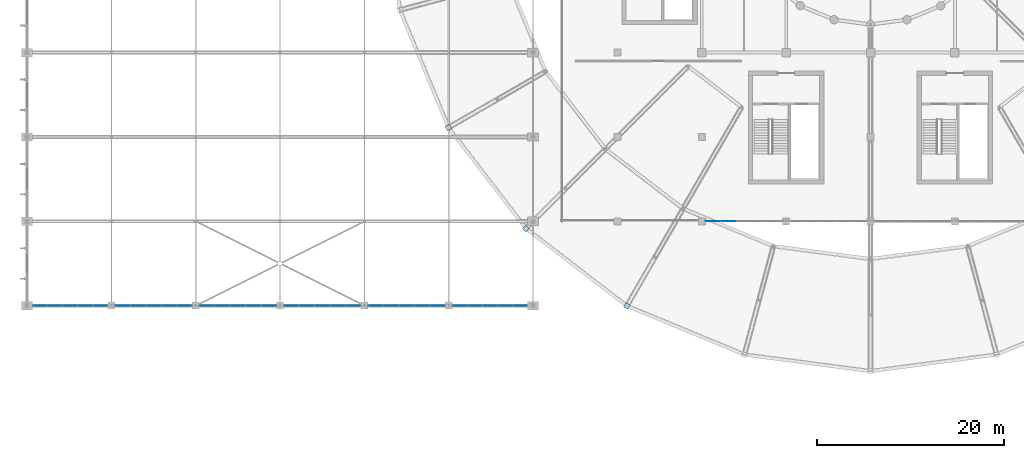
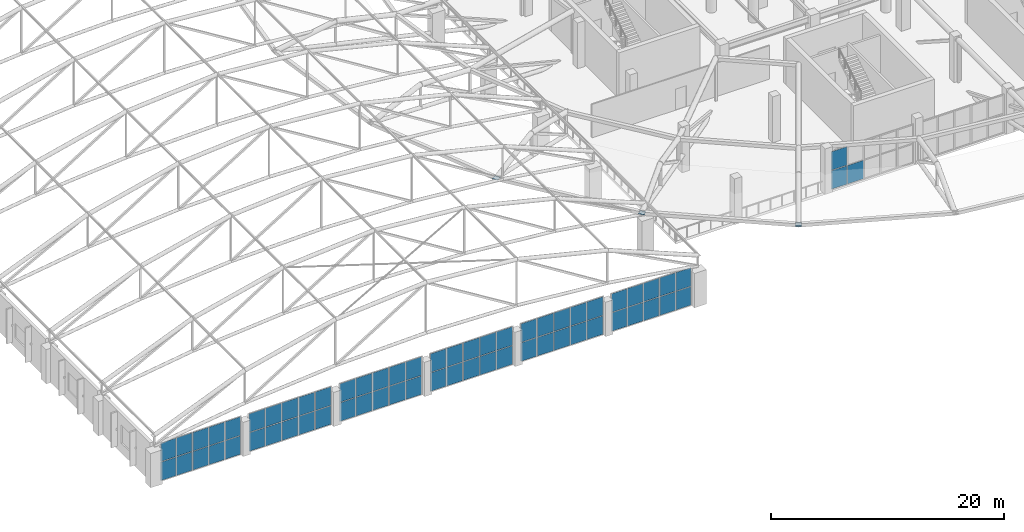
# One storey, part 118 of 167: 66 plates, 7 elements without a shape of their own.
"""IFC4 building model written with IfcOpenShell, lengths in metres."""

from ifc_helpers import new_model, si_unit, direction, frame, origin, origin_2d, place, context, subcontext, project, spatial, rectangle, extrude, material, layer, layer_set, type_object, element, aggregate, save


model = new_model("IFC4")

# Units and contexts
model_context = context("Model", 3, precision=1e-05, world=origin(), true_north=direction((0.0, 1.0)))
body_context = subcontext(model_context, "Body", "Model", "MODEL_VIEW")
ifc_project = project(units=[si_unit("LENGTHUNIT", "METRE"), si_unit("AREAUNIT", "SQUARE_METRE"), si_unit("VOLUMEUNIT", "CUBIC_METRE"), si_unit("PLANEANGLEUNIT", "RADIAN"), si_unit("MASSUNIT", "GRAM", prefix="KILO")], contexts=[model_context])

# Site, building, storey
site_placement = place(None, origin())
site = spatial("IfcSite", under=ifc_project, at=site_placement, CompositionType="ELEMENT")
building_placement = place(site_placement, origin())
building = spatial("IfcBuilding", under=site, at=building_placement, Name="Dornveld Trade and Exhibition Forum", CompositionType="ELEMENT")
storey_placement = place(building_placement, frame((0.0, 0.0, 16.800048828125)))
storey = spatial("IfcBuildingStorey", under=building, at=storey_placement, Name="L03", CompositionType="ELEMENT", Elevation=16.800048828125)

# Curtain wall, plates
ifc_material_1 = material(Name="Dark-bronze anodised aluminium and low-E glass", Category="aluminium")
ifc_layer_1 = layer(ifc_material_1, 0.18701171875)
ifc_layer_set_1 = layer_set([ifc_layer_1], Name="Dark-bronze anodised aluminium and low-E glass")
curtain_wall_type_1 = type_object("IfcCurtainWallType", Name="CW-SYS-15", PredefinedType="USERDEFINED", material=ifc_layer_set_1)
curtain_wall_1_placement = place(storey_placement, origin())
curtain_wall_1 = element("IfcCurtainWall", 1, at=curtain_wall_1_placement, inside=storey, type_object=curtain_wall_type_1, Name="L03 unitised curtain wall 33", ObjectType="UNITISED_CURTAIN_WALL", PredefinedType="USERDEFINED")
ifc_material_2 = material(Name="Double-glazed low-E solar control glass", Category="glass")
ifc_layer_2 = layer(ifc_material_2, 0.02587890625)
ifc_layer_set_2 = layer_set([ifc_layer_2], Name="Double-glazed low-E solar control glass")
plate_type_1 = type_object("IfcPlateType", Name="CW-PNL-01", PredefinedType="CURTAIN_PANEL", material=ifc_layer_set_2)
plate_1_placement = place(storey_placement, frame((37.2119140625, 36.0, 0.055908203125), z_axis=(0.0, 0.0, 1.0), x_axis=(1.0, 0.0, 0.0)))
plate_1 = element("IfcPlate", 2, at=plate_1_placement, type_object=plate_type_1, Name="CW-15 panel 1.1", PredefinedType="CURTAIN_PANEL", context=body_context, shape_type="SweptSolid", body=[
    extrude(rectangle(XDim=1.5615234375, YDim=0.02587890625, at=origin_2d()), origin(), (0.0, 0.0, 1.0), 1.94189453125),
])
plate_2_placement = place(storey_placement, frame((37.2119140625, 36.0, 2.05810546875), z_axis=(0.0, 0.0, 1.0), x_axis=(1.0, 0.0, 0.0)))
plate_2 = element("IfcPlate", 3, at=plate_2_placement, type_object=plate_type_1, Name="CW-15 panel 1.2", PredefinedType="CURTAIN_PANEL", context=body_context, shape_type="SweptSolid", body=[
    extrude(rectangle(XDim=1.5615234375, YDim=0.02587890625, at=origin_2d()), origin(), (0.0, 0.0, 1.0), 1.94189453125),
])
plate_3_placement = place(storey_placement, frame((38.848388671875, 36.0, 0.055908203125), z_axis=(0.0, 0.0, 1.0), x_axis=(1.0, 0.0, 0.0)))
plate_3 = element("IfcPlate", 4, at=plate_3_placement, type_object=plate_type_1, Name="CW-15 panel 2.1", PredefinedType="CURTAIN_PANEL", context=body_context, shape_type="SweptSolid", body=[
    extrude(rectangle(XDim=1.591552734375, YDim=0.02587890625, at=origin_2d()), origin(), (0.0, 0.0, 1.0), 1.94189453125),
])
plate_4_placement = place(storey_placement, frame((38.848388671875, 36.0, 2.05810546875), z_axis=(0.0, 0.0, 1.0), x_axis=(1.0, 0.0, 0.0)))
plate_4 = element("IfcPlate", 5, at=plate_4_placement, type_object=plate_type_1, Name="CW-15 panel 2.2", PredefinedType="CURTAIN_PANEL", context=body_context, shape_type="SweptSolid", body=[
    extrude(rectangle(XDim=1.591552734375, YDim=0.02587890625, at=origin_2d()), origin(), (0.0, 0.0, 1.0), 1.94189453125),
])
plate_5_placement = place(storey_placement, frame((40.5, 36.0, 0.055908203125), z_axis=(0.0, 0.0, 1.0), x_axis=(1.0, 0.0, 0.0)))
plate_5 = element("IfcPlate", 6, at=plate_5_placement, type_object=plate_type_1, Name="CW-15 panel 3.1", PredefinedType="CURTAIN_PANEL", context=body_context, shape_type="SweptSolid", body=[
    extrude(rectangle(XDim=1.591552734375, YDim=0.02587890625, at=origin_2d()), origin(), (0.0, 0.0, 1.0), 1.94189453125),
])
plate_6_placement = place(storey_placement, frame((40.5, 36.0, 2.05810546875), z_axis=(0.0, 0.0, 1.0), x_axis=(1.0, 0.0, 0.0)))
plate_6 = element("IfcPlate", 7, at=plate_6_placement, type_object=plate_type_1, Name="CW-15 panel 3.2", PredefinedType="CURTAIN_PANEL", context=body_context, shape_type="SweptSolid", body=[
    extrude(rectangle(XDim=1.591552734375, YDim=0.02587890625, at=origin_2d()), origin(), (0.0, 0.0, 1.0), 1.94189453125),
])
plate_7_placement = place(storey_placement, frame((42.151611328125, 36.0, 0.055908203125), z_axis=(0.0, 0.0, 1.0), x_axis=(1.0, 0.0, 0.0)))
plate_7 = element("IfcPlate", 8, at=plate_7_placement, type_object=plate_type_1, Name="CW-15 panel 4.1", PredefinedType="CURTAIN_PANEL", context=body_context, shape_type="SweptSolid", body=[
    extrude(rectangle(XDim=1.591552734375, YDim=0.02587890625, at=origin_2d()), origin(), (0.0, 0.0, 1.0), 1.94189453125),
])
plate_8_placement = place(storey_placement, frame((42.151611328125, 36.0, 2.05810546875), z_axis=(0.0, 0.0, 1.0), x_axis=(1.0, 0.0, 0.0)))
plate_8 = element("IfcPlate", 9, at=plate_8_placement, type_object=plate_type_1, Name="CW-15 panel 4.2", PredefinedType="CURTAIN_PANEL", context=body_context, shape_type="SweptSolid", body=[
    extrude(rectangle(XDim=1.591552734375, YDim=0.02587890625, at=origin_2d()), origin(), (0.0, 0.0, 1.0), 1.94189453125),
])
plate_9_placement = place(storey_placement, frame((43.7880859375, 36.0, 0.055908203125), z_axis=(0.0, 0.0, 1.0), x_axis=(1.0, 0.0, 0.0)))
plate_9 = element("IfcPlate", 10, at=plate_9_placement, type_object=plate_type_1, Name="CW-15 panel 5.1", PredefinedType="CURTAIN_PANEL", context=body_context, shape_type="SweptSolid", body=[
    extrude(rectangle(XDim=1.5615234375, YDim=0.02587890625, at=origin_2d()), origin(), (0.0, 0.0, 1.0), 1.94189453125),
])
plate_10_placement = place(storey_placement, frame((43.7880859375, 36.0, 2.05810546875), z_axis=(0.0, 0.0, 1.0), x_axis=(1.0, 0.0, 0.0)))
plate_10 = element("IfcPlate", 11, at=plate_10_placement, type_object=plate_type_1, Name="CW-15 panel 5.2", PredefinedType="CURTAIN_PANEL", context=body_context, shape_type="SweptSolid", body=[
    extrude(rectangle(XDim=1.5615234375, YDim=0.02587890625, at=origin_2d()), origin(), (0.0, 0.0, 1.0), 1.94189453125),
])
aggregate(curtain_wall_1, [plate_1, plate_2, plate_3, plate_4, plate_5, plate_6, plate_7, plate_8, plate_9, plate_10])

ifc_material_3 = material(Name="Dark-bronze anodised aluminium and low-E glass", Category="aluminium")
ifc_layer_3 = layer(ifc_material_3, 0.156982421875)
ifc_layer_set_3 = layer_set([ifc_layer_3], Name="Dark-bronze anodised aluminium and low-E glass")
curtain_wall_type_2 = type_object("IfcCurtainWallType", Name="CW-SYS-05", PredefinedType="USERDEFINED", material=ifc_layer_set_3)
curtain_wall_2_placement = place(storey_placement, origin())
curtain_wall_2 = element("IfcCurtainWall", 12, at=curtain_wall_2_placement, inside=storey, type_object=curtain_wall_type_2, Name="L03 unitised curtain wall 41", ObjectType="UNITISED_CURTAIN_WALL", PredefinedType="USERDEFINED")
plate_11_placement = place(storey_placement, frame((73.189208984375, 36.0, 0.055908203125), z_axis=(0.0, 0.0, 1.0), x_axis=(1.0, 0.0, 0.0)))
plate_11 = element("IfcPlate", 13, at=plate_11_placement, type_object=plate_type_1, Name="CW-05 panel 1.1", PredefinedType="CURTAIN_PANEL", context=body_context, shape_type="SweptSolid", body=[
    extrude(rectangle(XDim=1.5166015625, YDim=0.02587890625, at=origin_2d()), origin(), (0.0, 0.0, 1.0), 1.94189453125),
])
plate_12_placement = place(storey_placement, frame((73.189208984375, 36.0, 2.05810546875), z_axis=(0.0, 0.0, 1.0), x_axis=(1.0, 0.0, 0.0)))
plate_12 = element("IfcPlate", 14, at=plate_12_placement, type_object=plate_type_1, Name="CW-05 panel 1.2", PredefinedType="CURTAIN_PANEL", context=body_context, shape_type="SweptSolid", body=[
    extrude(rectangle(XDim=1.5166015625, YDim=0.02587890625, at=origin_2d()), origin(), (0.0, 0.0, 1.0), 1.94189453125),
])
plate_13_placement = place(storey_placement, frame((74.781005859375, 36.0, 0.055908203125), z_axis=(0.0, 0.0, 1.0), x_axis=(1.0, 0.0, 0.0)))
plate_13 = element("IfcPlate", 15, at=plate_13_placement, type_object=plate_type_1, Name="CW-05 panel 2.1", PredefinedType="CURTAIN_PANEL", context=body_context, shape_type="SweptSolid", body=[
    extrude(rectangle(XDim=1.546630859375, YDim=0.02587890625, at=origin_2d()), origin(), (0.0, 0.0, 1.0), 1.94189453125),
])
plate_14_placement = place(storey_placement, frame((74.781005859375, 36.0, 2.05810546875), z_axis=(0.0, 0.0, 1.0), x_axis=(1.0, 0.0, 0.0)))
plate_14 = element("IfcPlate", 16, at=plate_14_placement, type_object=plate_type_1, Name="CW-05 panel 2.2", PredefinedType="CURTAIN_PANEL", context=body_context, shape_type="SweptSolid", body=[
    extrude(rectangle(XDim=1.546630859375, YDim=0.02587890625, at=origin_2d()), origin(), (0.0, 0.0, 1.0), 1.94189453125),
])
plate_15_placement = place(storey_placement, frame((76.387451171875, 36.0, 0.055908203125), z_axis=(0.0, 0.0, 1.0), x_axis=(1.0, 0.0, 0.0)))
plate_15 = element("IfcPlate", 17, at=plate_15_placement, type_object=plate_type_1, Name="CW-05 panel 3.1", PredefinedType="CURTAIN_PANEL", context=body_context, shape_type="SweptSolid", body=[
    extrude(rectangle(XDim=1.546630859375, YDim=0.02587890625, at=origin_2d()), origin(), (0.0, 0.0, 1.0), 1.94189453125),
])
plate_16_placement = place(storey_placement, frame((76.387451171875, 36.0, 2.05810546875), z_axis=(0.0, 0.0, 1.0), x_axis=(1.0, 0.0, 0.0)))
plate_16 = element("IfcPlate", 18, at=plate_16_placement, type_object=plate_type_1, Name="CW-05 panel 3.2", PredefinedType="CURTAIN_PANEL", context=body_context, shape_type="SweptSolid", body=[
    extrude(rectangle(XDim=1.546630859375, YDim=0.02587890625, at=origin_2d()), origin(), (0.0, 0.0, 1.0), 1.94189453125),
])
plate_17_placement = place(storey_placement, frame((77.994140625, 36.0, 0.055908203125), z_axis=(0.0, 0.0, 1.0), x_axis=(1.0, 0.0, 0.0)))
plate_17 = element("IfcPlate", 19, at=plate_17_placement, type_object=plate_type_1, Name="CW-05 panel 4.1", PredefinedType="CURTAIN_PANEL", context=body_context, shape_type="SweptSolid", body=[
    extrude(rectangle(XDim=1.546630859375, YDim=0.02587890625, at=origin_2d()), origin(), (0.0, 0.0, 1.0), 1.94189453125),
])
plate_18_placement = place(storey_placement, frame((77.994140625, 36.0, 2.05810546875), z_axis=(0.0, 0.0, 1.0), x_axis=(1.0, 0.0, 0.0)))
plate_18 = element("IfcPlate", 20, at=plate_18_placement, type_object=plate_type_1, Name="CW-05 panel 4.2", PredefinedType="CURTAIN_PANEL", context=body_context, shape_type="SweptSolid", body=[
    extrude(rectangle(XDim=1.546630859375, YDim=0.02587890625, at=origin_2d()), origin(), (0.0, 0.0, 1.0), 1.94189453125),
])
plate_19_placement = place(storey_placement, frame((79.585693359375, 36.0, 0.055908203125), z_axis=(0.0, 0.0, 1.0), x_axis=(1.0, 0.0, 0.0)))
plate_19 = element("IfcPlate", 21, at=plate_19_placement, type_object=plate_type_1, Name="CW-05 panel 5.1", PredefinedType="CURTAIN_PANEL", context=body_context, shape_type="SweptSolid", body=[
    extrude(rectangle(XDim=1.5166015625, YDim=0.02587890625, at=origin_2d()), origin(), (0.0, 0.0, 1.0), 1.94189453125),
])
plate_20_placement = place(storey_placement, frame((79.585693359375, 36.0, 2.05810546875), z_axis=(0.0, 0.0, 1.0), x_axis=(1.0, 0.0, 0.0)))
plate_20 = element("IfcPlate", 22, at=plate_20_placement, type_object=plate_type_1, Name="CW-05 panel 5.2", PredefinedType="CURTAIN_PANEL", context=body_context, shape_type="SweptSolid", body=[
    extrude(rectangle(XDim=1.5166015625, YDim=0.02587890625, at=origin_2d()), origin(), (0.0, 0.0, 1.0), 1.94189453125),
])
aggregate(curtain_wall_2, [plate_11, plate_12, plate_13, plate_14, plate_15, plate_16, plate_17, plate_18, plate_19, plate_20])

ifc_material_4 = material(Name="Dark-bronze anodised aluminium and low-E glass", Category="aluminium")
ifc_layer_4 = layer(ifc_material_4, 0.193115234375)
ifc_layer_set_4 = layer_set([ifc_layer_4], Name="Dark-bronze anodised aluminium and low-E glass")
curtain_wall_type_3 = type_object("IfcCurtainWallType", Name="CW-SYS-17", PredefinedType="USERDEFINED", material=ifc_layer_set_4)
curtain_wall_3_placement = place(storey_placement, origin())
curtain_wall_3 = element("IfcCurtainWall", 23, at=curtain_wall_3_placement, inside=storey, type_object=curtain_wall_type_3, Name="L03 unitised curtain wall 35", ObjectType="UNITISED_CURTAIN_WALL", PredefinedType="USERDEFINED")
ifc_material_5 = material(Name="Double-glazed low-E solar control glass", Category="glass")
ifc_layer_5 = layer(ifc_material_5, 0.030029296875)
ifc_layer_set_5 = layer_set([ifc_layer_5], Name="Double-glazed low-E solar control glass")
plate_type_2 = type_object("IfcPlateType", Name="CW-PNL-03", PredefinedType="CURTAIN_PANEL", material=ifc_layer_set_5)
plate_21_placement = place(storey_placement, frame((46.2119140625, 36.0, 0.055908203125), z_axis=(0.0, 0.0, 1.0), x_axis=(1.0, 0.0, 0.0)))
plate_21 = element("IfcPlate", 24, at=plate_21_placement, type_object=plate_type_2, Name="CW-17 panel 1.1", PredefinedType="CURTAIN_PANEL", context=body_context, shape_type="SweptSolid", body=[
    extrude(rectangle(XDim=1.5615234375, YDim=0.030029296875, at=origin_2d()), origin(), (0.0, 0.0, 1.0), 1.94189453125),
])
plate_22_placement = place(storey_placement, frame((46.2119140625, 36.0, 2.05810546875), z_axis=(0.0, 0.0, 1.0), x_axis=(1.0, 0.0, 0.0)))
plate_22 = element("IfcPlate", 25, at=plate_22_placement, type_object=plate_type_2, Name="CW-17 panel 1.2", PredefinedType="CURTAIN_PANEL", context=body_context, shape_type="SweptSolid", body=[
    extrude(rectangle(XDim=1.5615234375, YDim=0.030029296875, at=origin_2d()), origin(), (0.0, 0.0, 1.0), 1.94189453125),
])
plate_23_placement = place(storey_placement, frame((47.848388671875, 36.0, 0.055908203125), z_axis=(0.0, 0.0, 1.0), x_axis=(1.0, 0.0, 0.0)))
plate_23 = element("IfcPlate", 26, at=plate_23_placement, type_object=plate_type_2, Name="CW-17 panel 2.1", PredefinedType="CURTAIN_PANEL", context=body_context, shape_type="SweptSolid", body=[
    extrude(rectangle(XDim=1.591552734375, YDim=0.030029296875, at=origin_2d()), origin(), (0.0, 0.0, 1.0), 1.94189453125),
])
plate_24_placement = place(storey_placement, frame((47.848388671875, 36.0, 2.05810546875), z_axis=(0.0, 0.0, 1.0), x_axis=(1.0, 0.0, 0.0)))
plate_24 = element("IfcPlate", 27, at=plate_24_placement, type_object=plate_type_2, Name="CW-17 panel 2.2", PredefinedType="CURTAIN_PANEL", context=body_context, shape_type="SweptSolid", body=[
    extrude(rectangle(XDim=1.591552734375, YDim=0.030029296875, at=origin_2d()), origin(), (0.0, 0.0, 1.0), 1.94189453125),
])
plate_25_placement = place(storey_placement, frame((49.5, 36.0, 0.055908203125), z_axis=(0.0, 0.0, 1.0), x_axis=(1.0, 0.0, 0.0)))
plate_25 = element("IfcPlate", 28, at=plate_25_placement, type_object=plate_type_2, Name="CW-17 panel 3.1", PredefinedType="CURTAIN_PANEL", context=body_context, shape_type="SweptSolid", body=[
    extrude(rectangle(XDim=1.591552734375, YDim=0.030029296875, at=origin_2d()), origin(), (0.0, 0.0, 1.0), 1.94189453125),
])
plate_26_placement = place(storey_placement, frame((49.5, 36.0, 2.05810546875), z_axis=(0.0, 0.0, 1.0), x_axis=(1.0, 0.0, 0.0)))
plate_26 = element("IfcPlate", 29, at=plate_26_placement, type_object=plate_type_2, Name="CW-17 panel 3.2", PredefinedType="CURTAIN_PANEL", context=body_context, shape_type="SweptSolid", body=[
    extrude(rectangle(XDim=1.591552734375, YDim=0.030029296875, at=origin_2d()), origin(), (0.0, 0.0, 1.0), 1.94189453125),
])
plate_27_placement = place(storey_placement, frame((51.151611328125, 36.0, 0.055908203125), z_axis=(0.0, 0.0, 1.0), x_axis=(1.0, 0.0, 0.0)))
plate_27 = element("IfcPlate", 30, at=plate_27_placement, type_object=plate_type_2, Name="CW-17 panel 4.1", PredefinedType="CURTAIN_PANEL", context=body_context, shape_type="SweptSolid", body=[
    extrude(rectangle(XDim=1.591552734375, YDim=0.030029296875, at=origin_2d()), origin(), (0.0, 0.0, 1.0), 1.94189453125),
])
plate_28_placement = place(storey_placement, frame((51.151611328125, 36.0, 2.05810546875), z_axis=(0.0, 0.0, 1.0), x_axis=(1.0, 0.0, 0.0)))
plate_28 = element("IfcPlate", 31, at=plate_28_placement, type_object=plate_type_2, Name="CW-17 panel 4.2", PredefinedType="CURTAIN_PANEL", context=body_context, shape_type="SweptSolid", body=[
    extrude(rectangle(XDim=1.591552734375, YDim=0.030029296875, at=origin_2d()), origin(), (0.0, 0.0, 1.0), 1.94189453125),
])
plate_29_placement = place(storey_placement, frame((52.7880859375, 36.0, 0.055908203125), z_axis=(0.0, 0.0, 1.0), x_axis=(1.0, 0.0, 0.0)))
plate_29 = element("IfcPlate", 32, at=plate_29_placement, type_object=plate_type_2, Name="CW-17 panel 5.1", PredefinedType="CURTAIN_PANEL", context=body_context, shape_type="SweptSolid", body=[
    extrude(rectangle(XDim=1.5615234375, YDim=0.030029296875, at=origin_2d()), origin(), (0.0, 0.0, 1.0), 1.94189453125),
])
plate_30_placement = place(storey_placement, frame((52.7880859375, 36.0, 2.05810546875), z_axis=(0.0, 0.0, 1.0), x_axis=(1.0, 0.0, 0.0)))
plate_30 = element("IfcPlate", 33, at=plate_30_placement, type_object=plate_type_2, Name="CW-17 panel 5.2", PredefinedType="CURTAIN_PANEL", context=body_context, shape_type="SweptSolid", body=[
    extrude(rectangle(XDim=1.5615234375, YDim=0.030029296875, at=origin_2d()), origin(), (0.0, 0.0, 1.0), 1.94189453125),
])
aggregate(curtain_wall_3, [plate_21, plate_22, plate_23, plate_24, plate_25, plate_26, plate_27, plate_28, plate_29, plate_30])

ifc_material_6 = material(Name="Dark-bronze anodised aluminium and low-E glass", Category="aluminium")
ifc_layer_6 = layer(ifc_material_6, 0.14501953125)
ifc_layer_set_6 = layer_set([ifc_layer_6], Name="Dark-bronze anodised aluminium and low-E glass")
curtain_wall_type_4 = type_object("IfcCurtainWallType", Name="CW-SYS-01", PredefinedType="USERDEFINED", material=ifc_layer_set_6)
curtain_wall_4_placement = place(storey_placement, origin())
curtain_wall_4 = element("IfcCurtainWall", 34, at=curtain_wall_4_placement, inside=storey, type_object=curtain_wall_type_4, Name="L03 unitised curtain wall 37", ObjectType="UNITISED_CURTAIN_WALL", PredefinedType="USERDEFINED")
ifc_material_7 = material(Name="Double-glazed low-E solar control glass", Category="glass")
ifc_layer_7 = layer(ifc_material_7, 0.033935546875)
ifc_layer_set_7 = layer_set([ifc_layer_7], Name="Double-glazed low-E solar control glass")
plate_type_3 = type_object("IfcPlateType", Name="CW-PNL-05", PredefinedType="CURTAIN_PANEL", material=ifc_layer_set_7)
plate_31_placement = place(storey_placement, frame((55.2119140625, 36.0, 0.055908203125), z_axis=(0.0, 0.0, 1.0), x_axis=(1.0, 0.0, 0.0)))
plate_31 = element("IfcPlate", 35, at=plate_31_placement, type_object=plate_type_3, Name="CW-01 panel 1.1", PredefinedType="CURTAIN_PANEL", context=body_context, shape_type="SweptSolid", body=[
    extrude(rectangle(XDim=1.5615234375, YDim=0.033935546875, at=origin_2d()), origin(), (0.0, 0.0, 1.0), 1.94189453125),
])
plate_32_placement = place(storey_placement, frame((55.2119140625, 36.0, 2.05810546875), z_axis=(0.0, 0.0, 1.0), x_axis=(1.0, 0.0, 0.0)))
plate_32 = element("IfcPlate", 36, at=plate_32_placement, type_object=plate_type_3, Name="CW-01 panel 1.2", PredefinedType="CURTAIN_PANEL", context=body_context, shape_type="SweptSolid", body=[
    extrude(rectangle(XDim=1.5615234375, YDim=0.033935546875, at=origin_2d()), origin(), (0.0, 0.0, 1.0), 1.94189453125),
])
plate_33_placement = place(storey_placement, frame((56.848388671875, 36.0, 0.055908203125), z_axis=(0.0, 0.0, 1.0), x_axis=(1.0, 0.0, 0.0)))
plate_33 = element("IfcPlate", 37, at=plate_33_placement, type_object=plate_type_3, Name="CW-01 panel 2.1", PredefinedType="CURTAIN_PANEL", context=body_context, shape_type="SweptSolid", body=[
    extrude(rectangle(XDim=1.591552734375, YDim=0.033935546875, at=origin_2d()), origin(), (0.0, 0.0, 1.0), 1.94189453125),
])
plate_34_placement = place(storey_placement, frame((56.848388671875, 36.0, 2.05810546875), z_axis=(0.0, 0.0, 1.0), x_axis=(1.0, 0.0, 0.0)))
plate_34 = element("IfcPlate", 38, at=plate_34_placement, type_object=plate_type_3, Name="CW-01 panel 2.2", PredefinedType="CURTAIN_PANEL", context=body_context, shape_type="SweptSolid", body=[
    extrude(rectangle(XDim=1.591552734375, YDim=0.033935546875, at=origin_2d()), origin(), (0.0, 0.0, 1.0), 1.94189453125),
])
plate_35_placement = place(storey_placement, frame((58.5, 36.0, 0.055908203125), z_axis=(0.0, 0.0, 1.0), x_axis=(1.0, 0.0, 0.0)))
plate_35 = element("IfcPlate", 39, at=plate_35_placement, type_object=plate_type_3, Name="CW-01 panel 3.1", PredefinedType="CURTAIN_PANEL", context=body_context, shape_type="SweptSolid", body=[
    extrude(rectangle(XDim=1.591552734375, YDim=0.033935546875, at=origin_2d()), origin(), (0.0, 0.0, 1.0), 1.94189453125),
])
plate_36_placement = place(storey_placement, frame((58.5, 36.0, 2.05810546875), z_axis=(0.0, 0.0, 1.0), x_axis=(1.0, 0.0, 0.0)))
plate_36 = element("IfcPlate", 40, at=plate_36_placement, type_object=plate_type_3, Name="CW-01 panel 3.2", PredefinedType="CURTAIN_PANEL", context=body_context, shape_type="SweptSolid", body=[
    extrude(rectangle(XDim=1.591552734375, YDim=0.033935546875, at=origin_2d()), origin(), (0.0, 0.0, 1.0), 1.94189453125),
])
plate_37_placement = place(storey_placement, frame((60.151611328125, 36.0, 0.055908203125), z_axis=(0.0, 0.0, 1.0), x_axis=(1.0, 0.0, 0.0)))
plate_37 = element("IfcPlate", 41, at=plate_37_placement, type_object=plate_type_3, Name="CW-01 panel 4.1", PredefinedType="CURTAIN_PANEL", context=body_context, shape_type="SweptSolid", body=[
    extrude(rectangle(XDim=1.591552734375, YDim=0.033935546875, at=origin_2d()), origin(), (0.0, 0.0, 1.0), 1.94189453125),
])
plate_38_placement = place(storey_placement, frame((60.151611328125, 36.0, 2.05810546875), z_axis=(0.0, 0.0, 1.0), x_axis=(1.0, 0.0, 0.0)))
plate_38 = element("IfcPlate", 42, at=plate_38_placement, type_object=plate_type_3, Name="CW-01 panel 4.2", PredefinedType="CURTAIN_PANEL", context=body_context, shape_type="SweptSolid", body=[
    extrude(rectangle(XDim=1.591552734375, YDim=0.033935546875, at=origin_2d()), origin(), (0.0, 0.0, 1.0), 1.94189453125),
])
plate_39_placement = place(storey_placement, frame((61.7880859375, 36.0, 0.055908203125), z_axis=(0.0, 0.0, 1.0), x_axis=(1.0, 0.0, 0.0)))
plate_39 = element("IfcPlate", 43, at=plate_39_placement, type_object=plate_type_3, Name="CW-01 panel 5.1", PredefinedType="CURTAIN_PANEL", context=body_context, shape_type="SweptSolid", body=[
    extrude(rectangle(XDim=1.5615234375, YDim=0.033935546875, at=origin_2d()), origin(), (0.0, 0.0, 1.0), 1.94189453125),
])
plate_40_placement = place(storey_placement, frame((61.7880859375, 36.0, 2.05810546875), z_axis=(0.0, 0.0, 1.0), x_axis=(1.0, 0.0, 0.0)))
plate_40 = element("IfcPlate", 44, at=plate_40_placement, type_object=plate_type_3, Name="CW-01 panel 5.2", PredefinedType="CURTAIN_PANEL", context=body_context, shape_type="SweptSolid", body=[
    extrude(rectangle(XDim=1.5615234375, YDim=0.033935546875, at=origin_2d()), origin(), (0.0, 0.0, 1.0), 1.94189453125),
])
aggregate(curtain_wall_4, [plate_31, plate_32, plate_33, plate_34, plate_35, plate_36, plate_37, plate_38, plate_39, plate_40])

curtain_wall_5_placement = place(storey_placement, origin())
curtain_wall_5 = element("IfcCurtainWall", 45, at=curtain_wall_5_placement, inside=storey, type_object=curtain_wall_type_3, Name="L03 unitised curtain wall 53", ObjectType="UNITISED_CURTAIN_WALL", PredefinedType="USERDEFINED")
plate_41_placement = place(storey_placement, frame((100.2119140625, 45.0, 0.055908203125), z_axis=(0.0, 0.0, 1.0), x_axis=(1.0, 0.0, 0.0)))
plate_41 = element("IfcPlate", 46, at=plate_41_placement, type_object=plate_type_3, Name="CW-17 panel 1.1", PredefinedType="CURTAIN_PANEL", context=body_context, shape_type="SweptSolid", body=[
    extrude(rectangle(XDim=1.5615234375, YDim=0.033935546875, at=origin_2d()), origin(), (0.0, 0.0, 1.0), 1.94189453125),
])
plate_42_placement = place(storey_placement, frame((100.2119140625, 45.0, 2.05810546875), z_axis=(0.0, 0.0, 1.0), x_axis=(1.0, 0.0, 0.0)))
plate_42 = element("IfcPlate", 47, at=plate_42_placement, type_object=plate_type_3, Name="CW-17 panel 1.2", PredefinedType="CURTAIN_PANEL", context=body_context, shape_type="SweptSolid", body=[
    extrude(rectangle(XDim=1.5615234375, YDim=0.033935546875, at=origin_2d()), origin(), (0.0, 0.0, 1.0), 1.94189453125),
])
plate_43_placement = place(storey_placement, frame((101.848388671875, 45.0, 0.055908203125), z_axis=(0.0, 0.0, 1.0), x_axis=(1.0, 0.0, 0.0)))
plate_43 = element("IfcPlate", 48, at=plate_43_placement, type_object=plate_type_3, Name="CW-17 panel 2.1", PredefinedType="CURTAIN_PANEL", context=body_context, shape_type="SweptSolid", body=[
    extrude(rectangle(XDim=1.591552734375, YDim=0.033935546875, at=origin_2d()), origin(), (0.0, 0.0, 1.0), 1.94189453125),
])
aggregate(curtain_wall_5, [plate_41, plate_42, plate_43])

ifc_material_8 = material(Name="Dark-bronze anodised aluminium and low-E glass", Category="aluminium")
ifc_layer_8 = layer(ifc_material_8, 0.180908203125)
ifc_layer_set_8 = layer_set([ifc_layer_8], Name="Dark-bronze anodised aluminium and low-E glass")
curtain_wall_type_5 = type_object("IfcCurtainWallType", Name="CW-SYS-13", PredefinedType="USERDEFINED", material=ifc_layer_set_8)
curtain_wall_6_placement = place(storey_placement, origin())
curtain_wall_6 = element("IfcCurtainWall", 49, at=curtain_wall_6_placement, inside=storey, type_object=curtain_wall_type_5, Name="L03 unitised curtain wall 31", ObjectType="UNITISED_CURTAIN_WALL", PredefinedType="USERDEFINED")
ifc_material_9 = material(Name="Double-glazed low-E solar control glass", Category="glass")
ifc_layer_9 = layer(ifc_material_9, 0.0380859375)
ifc_layer_set_9 = layer_set([ifc_layer_9], Name="Double-glazed low-E solar control glass")
plate_type_4 = type_object("IfcPlateType", Name="CW-PNL-07", PredefinedType="CURTAIN_PANEL", material=ifc_layer_set_9)
plate_44_placement = place(storey_placement, frame((28.414306640625, 36.0, 0.055908203125), z_axis=(0.0, 0.0, 1.0), x_axis=(1.0, 0.0, 0.0)))
plate_44 = element("IfcPlate", 50, at=plate_44_placement, type_object=plate_type_4, Name="CW-13 panel 1.1", PredefinedType="CURTAIN_PANEL", context=body_context, shape_type="SweptSolid", body=[
    extrude(rectangle(XDim=1.5166015625, YDim=0.0380859375, at=origin_2d()), origin(), (0.0, 0.0, 1.0), 1.94189453125),
])
plate_45_placement = place(storey_placement, frame((28.414306640625, 36.0, 2.05810546875), z_axis=(0.0, 0.0, 1.0), x_axis=(1.0, 0.0, 0.0)))
plate_45 = element("IfcPlate", 51, at=plate_45_placement, type_object=plate_type_4, Name="CW-13 panel 1.2", PredefinedType="CURTAIN_PANEL", context=body_context, shape_type="SweptSolid", body=[
    extrude(rectangle(XDim=1.5166015625, YDim=0.0380859375, at=origin_2d()), origin(), (0.0, 0.0, 1.0), 1.94189453125),
])
plate_46_placement = place(storey_placement, frame((30.005859375, 36.0, 0.055908203125), z_axis=(0.0, 0.0, 1.0), x_axis=(1.0, 0.0, 0.0)))
plate_46 = element("IfcPlate", 52, at=plate_46_placement, type_object=plate_type_4, Name="CW-13 panel 2.1", PredefinedType="CURTAIN_PANEL", context=body_context, shape_type="SweptSolid", body=[
    extrude(rectangle(XDim=1.546630859375, YDim=0.0380859375, at=origin_2d()), origin(), (0.0, 0.0, 1.0), 1.94189453125),
])
plate_47_placement = place(storey_placement, frame((30.005859375, 36.0, 2.05810546875), z_axis=(0.0, 0.0, 1.0), x_axis=(1.0, 0.0, 0.0)))
plate_47 = element("IfcPlate", 53, at=plate_47_placement, type_object=plate_type_4, Name="CW-13 panel 2.2", PredefinedType="CURTAIN_PANEL", context=body_context, shape_type="SweptSolid", body=[
    extrude(rectangle(XDim=1.546630859375, YDim=0.0380859375, at=origin_2d()), origin(), (0.0, 0.0, 1.0), 1.94189453125),
])
plate_48_placement = place(storey_placement, frame((31.612548828125, 36.0, 0.055908203125), z_axis=(0.0, 0.0, 1.0), x_axis=(1.0, 0.0, 0.0)))
plate_48 = element("IfcPlate", 54, at=plate_48_placement, type_object=plate_type_4, Name="CW-13 panel 3.1", PredefinedType="CURTAIN_PANEL", context=body_context, shape_type="SweptSolid", body=[
    extrude(rectangle(XDim=1.546630859375, YDim=0.0380859375, at=origin_2d()), origin(), (0.0, 0.0, 1.0), 1.94189453125),
])
plate_49_placement = place(storey_placement, frame((31.612548828125, 36.0, 2.05810546875), z_axis=(0.0, 0.0, 1.0), x_axis=(1.0, 0.0, 0.0)))
plate_49 = element("IfcPlate", 55, at=plate_49_placement, type_object=plate_type_4, Name="CW-13 panel 3.2", PredefinedType="CURTAIN_PANEL", context=body_context, shape_type="SweptSolid", body=[
    extrude(rectangle(XDim=1.546630859375, YDim=0.0380859375, at=origin_2d()), origin(), (0.0, 0.0, 1.0), 1.94189453125),
])
plate_50_placement = place(storey_placement, frame((33.218994140625, 36.0, 0.055908203125), z_axis=(0.0, 0.0, 1.0), x_axis=(1.0, 0.0, 0.0)))
plate_50 = element("IfcPlate", 56, at=plate_50_placement, type_object=plate_type_4, Name="CW-13 panel 4.1", PredefinedType="CURTAIN_PANEL", context=body_context, shape_type="SweptSolid", body=[
    extrude(rectangle(XDim=1.546630859375, YDim=0.0380859375, at=origin_2d()), origin(), (0.0, 0.0, 1.0), 1.94189453125),
])
plate_51_placement = place(storey_placement, frame((33.218994140625, 36.0, 2.05810546875), z_axis=(0.0, 0.0, 1.0), x_axis=(1.0, 0.0, 0.0)))
plate_51 = element("IfcPlate", 57, at=plate_51_placement, type_object=plate_type_4, Name="CW-13 panel 4.2", PredefinedType="CURTAIN_PANEL", context=body_context, shape_type="SweptSolid", body=[
    extrude(rectangle(XDim=1.546630859375, YDim=0.0380859375, at=origin_2d()), origin(), (0.0, 0.0, 1.0), 1.94189453125),
])
plate_52_placement = place(storey_placement, frame((34.810791015625, 36.0, 0.055908203125), z_axis=(0.0, 0.0, 1.0), x_axis=(1.0, 0.0, 0.0)))
plate_52 = element("IfcPlate", 58, at=plate_52_placement, type_object=plate_type_4, Name="CW-13 panel 5.1", PredefinedType="CURTAIN_PANEL", context=body_context, shape_type="SweptSolid", body=[
    extrude(rectangle(XDim=1.5166015625, YDim=0.0380859375, at=origin_2d()), origin(), (0.0, 0.0, 1.0), 1.94189453125),
])
plate_53_placement = place(storey_placement, frame((34.810791015625, 36.0, 2.05810546875), z_axis=(0.0, 0.0, 1.0), x_axis=(1.0, 0.0, 0.0)))
plate_53 = element("IfcPlate", 59, at=plate_53_placement, type_object=plate_type_4, Name="CW-13 panel 5.2", PredefinedType="CURTAIN_PANEL", context=body_context, shape_type="SweptSolid", body=[
    extrude(rectangle(XDim=1.5166015625, YDim=0.0380859375, at=origin_2d()), origin(), (0.0, 0.0, 1.0), 1.94189453125),
])
aggregate(curtain_wall_6, [plate_44, plate_45, plate_46, plate_47, plate_48, plate_49, plate_50, plate_51, plate_52, plate_53])

ifc_material_10 = material(Name="Dark-bronze anodised aluminium and low-E glass", Category="aluminium")
ifc_layer_10 = layer(ifc_material_10, 0.15087890625)
ifc_layer_set_10 = layer_set([ifc_layer_10], Name="Dark-bronze anodised aluminium and low-E glass")
curtain_wall_type_6 = type_object("IfcCurtainWallType", Name="CW-SYS-03", PredefinedType="USERDEFINED", material=ifc_layer_set_10)
curtain_wall_7_placement = place(storey_placement, origin())
curtain_wall_7 = element("IfcCurtainWall", 60, at=curtain_wall_7_placement, inside=storey, type_object=curtain_wall_type_6, Name="L03 unitised curtain wall 39", ObjectType="UNITISED_CURTAIN_WALL", PredefinedType="USERDEFINED")
plate_54_placement = place(storey_placement, frame((64.2119140625, 36.0, 0.055908203125), z_axis=(0.0, 0.0, 1.0), x_axis=(1.0, 0.0, 0.0)))
plate_54 = element("IfcPlate", 61, at=plate_54_placement, type_object=plate_type_4, Name="CW-03 panel 1.1", PredefinedType="CURTAIN_PANEL", context=body_context, shape_type="SweptSolid", body=[
    extrude(rectangle(XDim=1.5615234375, YDim=0.0380859375, at=origin_2d()), origin(), (0.0, 0.0, 1.0), 1.94189453125),
])
plate_55_placement = place(storey_placement, frame((64.2119140625, 36.0, 2.05810546875), z_axis=(0.0, 0.0, 1.0), x_axis=(1.0, 0.0, 0.0)))
plate_55 = element("IfcPlate", 62, at=plate_55_placement, type_object=plate_type_4, Name="CW-03 panel 1.2", PredefinedType="CURTAIN_PANEL", context=body_context, shape_type="SweptSolid", body=[
    extrude(rectangle(XDim=1.5615234375, YDim=0.0380859375, at=origin_2d()), origin(), (0.0, 0.0, 1.0), 1.94189453125),
])
plate_56_placement = place(storey_placement, frame((65.848388671875, 36.0, 0.055908203125), z_axis=(0.0, 0.0, 1.0), x_axis=(1.0, 0.0, 0.0)))
plate_56 = element("IfcPlate", 63, at=plate_56_placement, type_object=plate_type_4, Name="CW-03 panel 2.1", PredefinedType="CURTAIN_PANEL", context=body_context, shape_type="SweptSolid", body=[
    extrude(rectangle(XDim=1.591552734375, YDim=0.0380859375, at=origin_2d()), origin(), (0.0, 0.0, 1.0), 1.94189453125),
])
plate_57_placement = place(storey_placement, frame((65.848388671875, 36.0, 2.05810546875), z_axis=(0.0, 0.0, 1.0), x_axis=(1.0, 0.0, 0.0)))
plate_57 = element("IfcPlate", 64, at=plate_57_placement, type_object=plate_type_4, Name="CW-03 panel 2.2", PredefinedType="CURTAIN_PANEL", context=body_context, shape_type="SweptSolid", body=[
    extrude(rectangle(XDim=1.591552734375, YDim=0.0380859375, at=origin_2d()), origin(), (0.0, 0.0, 1.0), 1.94189453125),
])
plate_58_placement = place(storey_placement, frame((67.5, 36.0, 0.055908203125), z_axis=(0.0, 0.0, 1.0), x_axis=(1.0, 0.0, 0.0)))
plate_58 = element("IfcPlate", 65, at=plate_58_placement, type_object=plate_type_4, Name="CW-03 panel 3.1", PredefinedType="CURTAIN_PANEL", context=body_context, shape_type="SweptSolid", body=[
    extrude(rectangle(XDim=1.591552734375, YDim=0.0380859375, at=origin_2d()), origin(), (0.0, 0.0, 1.0), 1.94189453125),
])
plate_59_placement = place(storey_placement, frame((67.5, 36.0, 2.05810546875), z_axis=(0.0, 0.0, 1.0), x_axis=(1.0, 0.0, 0.0)))
plate_59 = element("IfcPlate", 66, at=plate_59_placement, type_object=plate_type_4, Name="CW-03 panel 3.2", PredefinedType="CURTAIN_PANEL", context=body_context, shape_type="SweptSolid", body=[
    extrude(rectangle(XDim=1.591552734375, YDim=0.0380859375, at=origin_2d()), origin(), (0.0, 0.0, 1.0), 1.94189453125),
])
plate_60_placement = place(storey_placement, frame((69.151611328125, 36.0, 0.055908203125), z_axis=(0.0, 0.0, 1.0), x_axis=(1.0, 0.0, 0.0)))
plate_60 = element("IfcPlate", 67, at=plate_60_placement, type_object=plate_type_4, Name="CW-03 panel 4.1", PredefinedType="CURTAIN_PANEL", context=body_context, shape_type="SweptSolid", body=[
    extrude(rectangle(XDim=1.591552734375, YDim=0.0380859375, at=origin_2d()), origin(), (0.0, 0.0, 1.0), 1.94189453125),
])
plate_61_placement = place(storey_placement, frame((69.151611328125, 36.0, 2.05810546875), z_axis=(0.0, 0.0, 1.0), x_axis=(1.0, 0.0, 0.0)))
plate_61 = element("IfcPlate", 68, at=plate_61_placement, type_object=plate_type_4, Name="CW-03 panel 4.2", PredefinedType="CURTAIN_PANEL", context=body_context, shape_type="SweptSolid", body=[
    extrude(rectangle(XDim=1.591552734375, YDim=0.0380859375, at=origin_2d()), origin(), (0.0, 0.0, 1.0), 1.94189453125),
])
plate_62_placement = place(storey_placement, frame((70.7880859375, 36.0, 0.055908203125), z_axis=(0.0, 0.0, 1.0), x_axis=(1.0, 0.0, 0.0)))
plate_62 = element("IfcPlate", 69, at=plate_62_placement, type_object=plate_type_4, Name="CW-03 panel 5.1", PredefinedType="CURTAIN_PANEL", context=body_context, shape_type="SweptSolid", body=[
    extrude(rectangle(XDim=1.5615234375, YDim=0.0380859375, at=origin_2d()), origin(), (0.0, 0.0, 1.0), 1.94189453125),
])
plate_63_placement = place(storey_placement, frame((70.7880859375, 36.0, 2.05810546875), z_axis=(0.0, 0.0, 1.0), x_axis=(1.0, 0.0, 0.0)))
plate_63 = element("IfcPlate", 70, at=plate_63_placement, type_object=plate_type_4, Name="CW-03 panel 5.2", PredefinedType="CURTAIN_PANEL", context=body_context, shape_type="SweptSolid", body=[
    extrude(rectangle(XDim=1.5615234375, YDim=0.0380859375, at=origin_2d()), origin(), (0.0, 0.0, 1.0), 1.94189453125),
])
aggregate(curtain_wall_7, [plate_54, plate_55, plate_56, plate_57, plate_58, plate_59, plate_60, plate_61, plate_62, plate_63])

# Plates
ifc_material_11 = material(Name="Steel S355J2", Category="steel")
ifc_layer_11 = layer(ifc_material_11, 0.02001953125)
ifc_layer_set_11 = layer_set([ifc_layer_11], Name="Steel S355J2")
plate_type_5 = type_object("IfcPlateType", Name="PL-CAP-520x20", PredefinedType="SHEET", material=ifc_layer_set_11)
for number, where, z_axis, x_axis, name in (
    (71, (71.966796875, 55.0, 4.7900390625), (0.0, 0.0, 1.0), (-0.866025403784, -0.5, 0.0), "Floating disc tip closure plate 15"),
    (72, (80.23046875, 44.23046875, 4.7900390625), (0.0, 0.0, 1.0), (-0.707106781187, -0.707106781187, 0.0), "Floating disc tip closure plate 16"),
    (73, (91.0, 35.966796875, 4.7900390625), (0.0, 0.0, 1.0), (-0.5, -0.866025403784, 0.0), "Floating disc tip closure plate 17"),
):
    element("IfcPlate", number, at=place(storey_placement, frame(where, z_axis=z_axis, x_axis=x_axis)), inside=storey, type_object=plate_type_5, Name=name, PredefinedType="SHEET", context=body_context, shape_type="SweptSolid", body=[
        extrude(rectangle(XDim=0.52001953125, YDim=0.52001953125, at=origin_2d()), origin(), (0.0, 0.0, 1.0), 0.02001953125),
    ])

save(model, "model.ifc")
